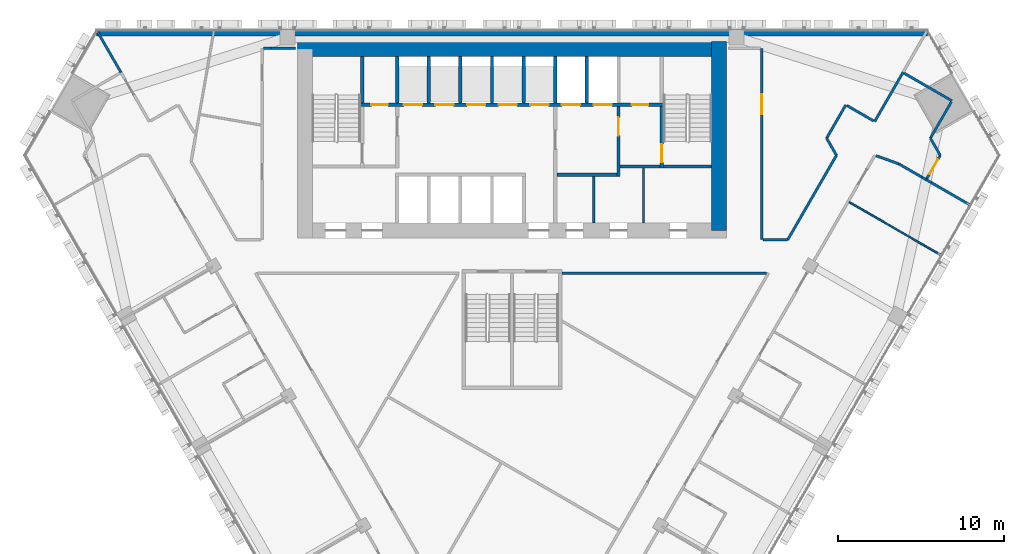
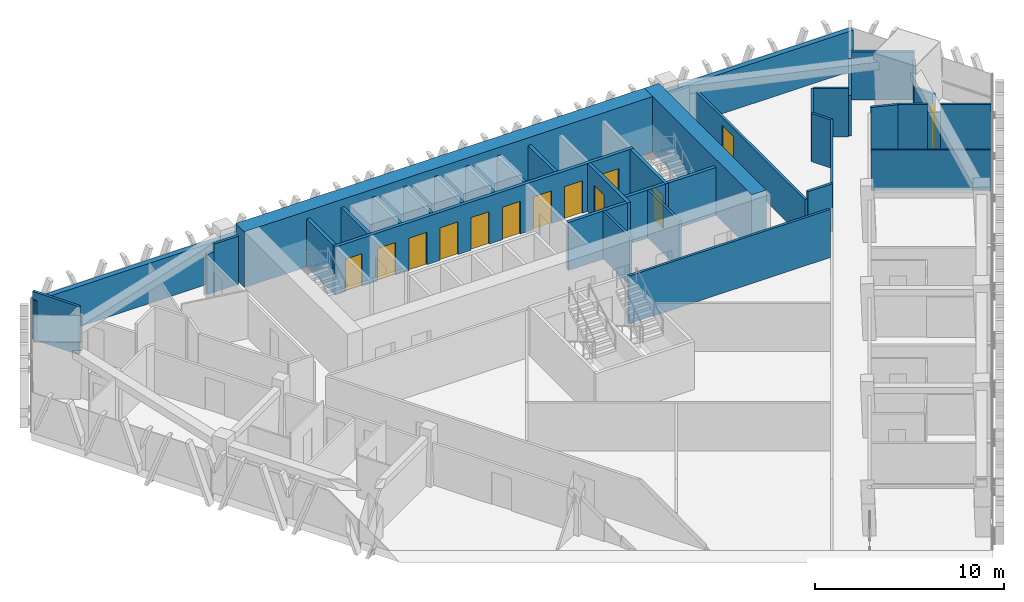
# One storey, part 12 of 16: 40 walls, 13 doors, 13 openings.
"""IFC4 building model written with IfcOpenShell, lengths in metres."""

from ifc_helpers import new_model, si_unit, direction, frame, frame_2d, origin, place, context, subcontext, project, spatial, rectangle, extrude, material, layer, layer_set, type_object, element, fill, save


model = new_model("IFC4")

# Units and contexts
model_context = context("Model", 3, precision=1e-05, world=origin(), true_north=direction((0.0, 1.0)))
body_context = subcontext(model_context, "Body", "Model", "MODEL_VIEW")
ifc_project = project(units=[si_unit("LENGTHUNIT", "METRE"), si_unit("AREAUNIT", "SQUARE_METRE"), si_unit("VOLUMEUNIT", "CUBIC_METRE"), si_unit("PLANEANGLEUNIT", "RADIAN"), si_unit("MASSUNIT", "GRAM", prefix="KILO")], contexts=[model_context])

# Site, building, storey
site_placement = place(None, origin())
site = spatial("IfcSite", under=ifc_project, at=site_placement, CompositionType="ELEMENT")
building_placement = place(site_placement, origin())
building = spatial("IfcBuilding", under=site, at=building_placement, Name="Altiplano Prism Tower", CompositionType="ELEMENT")
storey_placement = place(building_placement, frame((0.0, 0.0, 88.199951171875)))
storey = spatial("IfcBuildingStorey", under=building, at=storey_placement, Name="L22", CompositionType="ELEMENT", Elevation=88.199951171875)

# Walls
ifc_material_1 = material(Name="Concrete C70/85", Category="concrete")
ifc_layer_1 = layer(ifc_material_1, 0.89990234375)
ifc_layer_set_1 = layer_set([ifc_layer_1], Name="Concrete C70/85")
wall_type_1 = type_object("IfcWallType", Name="Core wall 900", PredefinedType="SHEAR", material=ifc_layer_set_1)
wall_1_placement = place(storey_placement, frame((97.449951171875, 92.949951171875, 0.0), z_axis=(0.0, 0.0, 1.0), x_axis=(0.0, 1.0, 0.0)))
element("IfcWall", 1, at=wall_1_placement, inside=storey, type_object=wall_type_1, Name="Core wall E L22", PredefinedType="SHEAR", context=body_context, shape_type="SweptSolid", body=[
    extrude(rectangle(XDim=11.35009765625, YDim=0.89990234375, at=frame_2d((5.675048828125, 0.0))), origin(), (0.0, 0.0, 1.0), 3.60009765625),
])
wall_2_placement = place(storey_placement, frame((97.449951171875, 103.85009765625, 0.0), z_axis=(0.0, 0.0, 1.0), x_axis=(-1.0, 0.0, 0.0)))
element("IfcWall", 2, at=wall_2_placement, inside=storey, type_object=wall_type_1, Name="Core wall N L22", PredefinedType="SHEAR", context=body_context, shape_type="SweptSolid", body=[
    extrude(rectangle(XDim=25.349853515625, YDim=0.89990234375, at=frame_2d((12.6748046875, 0.0))), origin(), (0.0, 0.0, 1.0), 3.60009765625),
])
ifc_material_2 = material(Name="Plasterboard on steel stud", Category="steel")
ifc_layer_2 = layer(ifc_material_2, 0.10009765625)
ifc_layer_set_2 = layer_set([ifc_layer_2], Name="Plasterboard on steel stud")
wall_type_2 = type_object("IfcWallType", Name="Partition 100 wet", PredefinedType="PARTITIONING", material=ifc_layer_set_2)
wall_3_placement = place(storey_placement, frame((110.757568359375, 91.483642578125, 0.0), z_axis=(0.0, 0.0, 1.0), x_axis=(-0.866025401434, 0.500000004071, 0.0)))
element("IfcWall", 3, at=wall_3_placement, inside=storey, type_object=wall_type_2, Name="Partition P03 L22 076", PredefinedType="PARTITIONING", context=body_context, shape_type="SweptSolid", body=[
    extrude(rectangle(XDim=6.34521484375, YDim=0.10009765625, at=frame_2d((3.172607421875, 0.0))), origin(), (0.0, 0.0, 1.0), 2.60009765625),
])
ifc_layer_3 = layer(ifc_material_2, 0.14990234375)
ifc_layer_set_3 = layer_set([ifc_layer_3], Name="Plasterboard on steel stud")
wall_type_3 = type_object("IfcWallType", Name="Partition 150 corridor", PredefinedType="PARTITIONING", material=ifc_layer_set_3)
wall_4_placement = place(storey_placement, frame((72.0, 103.89990234375, 0.0), z_axis=(0.0, 0.0, 1.0), x_axis=(-1.0, 0.0, 0.0)))
element("IfcWall", 4, at=wall_4_placement, inside=storey, type_object=wall_type_3, Name="Partition P06 L22 001", PredefinedType="PARTITIONING", context=body_context, shape_type="SweptSolid", body=[
    extrude(rectangle(XDim=1.4921875, YDim=0.14990234375, at=frame_2d((0.74609375, 0.0))), origin(), (0.0, 0.0, 1.0), 3.10009765625),
])
wall_5_placement = place(storey_placement, frame((70.5078125, 103.89990234375, 0.0), z_axis=(0.0, 0.0, 1.0), x_axis=(-1.0, 0.0, 0.0)))
element("IfcWall", 5, at=wall_5_placement, inside=storey, type_object=wall_type_3, Name="Partition P06 L22 002", PredefinedType="PARTITIONING", context=body_context, shape_type="SweptSolid", body=[
    extrude(rectangle(XDim=0.432861328125, YDim=0.14990234375, at=frame_2d((0.21630859375, 0.0))), origin(), (0.0, 0.0, 1.0), 2.60009765625),
])
wall_6_placement = place(storey_placement, frame((106.87158203125, 97.447998046875, 0.0), z_axis=(0.0, 0.0, 1.0), x_axis=(0.941287948334, -0.337604796059, 0.0)))
element("IfcWall", 6, at=wall_6_placement, inside=storey, type_object=wall_type_3, Name="Partition P06 L22 025", PredefinedType="PARTITIONING", context=body_context, shape_type="SweptSolid", body=[
    extrude(rectangle(XDim=1.45068359375, YDim=0.14990234375, at=frame_2d((0.725341796875, 0.0))), origin(), (0.0, 0.0, 1.0), 3.10009765625),
])
wall_7_placement = place(storey_placement, frame((108.237060546875, 96.958251953125, 0.0), z_axis=(0.0, 0.0, 1.0), x_axis=(0.86602790099, -0.499995674689, 0.0)))
element("IfcWall", 7, at=wall_7_placement, inside=storey, type_object=wall_type_3, Name="Partition P06 L22 026", PredefinedType="PARTITIONING", context=body_context, shape_type="SweptSolid", body=[
    extrude(rectangle(XDim=1.57275390625, YDim=0.14990234375, at=frame_2d((0.786376953125, 0.0))), origin(), (0.0, 0.0, 1.0), 3.10009765625),
])
wall_8_placement = place(storey_placement, frame((109.59912109375, 96.171875, 0.0), z_axis=(0.0, 0.0, 1.0), x_axis=(0.866115353951, -0.499844169366, 0.0)))
element("IfcWall", 8, at=wall_8_placement, inside=storey, type_object=wall_type_3, Name="Partition P06 L22 027", PredefinedType="PARTITIONING", context=body_context, shape_type="SweptSolid", body=[
    extrude(rectangle(XDim=0.34716796875, YDim=0.14990234375, at=frame_2d((0.173583984375, 0.0))), origin(), (0.0, 0.0, 1.0), 2.60009765625),
])

# Wall, opening, door
wall_9_placement = place(storey_placement, frame((109.919921875, 96.0732421875, 0.0), z_axis=(0.0, 0.0, 1.0), x_axis=(0.500005767435, 0.866022073929, 0.0)))
wall_9 = element("IfcWall", 9, at=wall_9_placement, inside=storey, type_object=wall_type_3, Name="Partition P06 L22 028", PredefinedType="PARTITIONING", context=body_context, shape_type="SweptSolid", body=[
    extrude(rectangle(XDim=1.6162109375, YDim=0.14990234375, at=frame_2d((0.80810546875, 0.0))), origin(), (0.0, 0.0, 1.0), 2.60009765625),
])
opening_1_placement = place(wall_9_placement, frame((0.323974609375, 0.0, 0.0)))
opening_1 = element("IfcOpeningElement", 10, at=opening_1_placement, cuts=wall_9, Name="Opening D0840", PredefinedType="OPENING", context=body_context, shape_type="SweptSolid", body=[
    extrude(rectangle(XDim=1.0, YDim=2.10009765625, at=frame_2d((0.5, 1.050048828125))), frame((0.0, 0.08544921875, 0.0), z_axis=(0.0, -1.0, 0.0), x_axis=(1.0, 0.0, 0.0)), (0.0, 0.0, 1.0), 0.1708984375),
])
ifc_material_3 = material(Name="Timber", Category="wood")
door_type_1 = type_object("IfcDoorType", Name="Room door 1000 x 2100", OperationType="NOTDEFINED", PredefinedType="NOTDEFINED", material=ifc_material_3)
door_1_placement = place(opening_1_placement, origin())
door_1 = element("IfcDoor", 11, at=door_1_placement, inside=storey, type_object=door_type_1, Name="Door D0840", OperationType="SINGLE_SWING_LEFT", OverallHeight=2.10009765625, OverallWidth=1.0, PredefinedType="NOTDEFINED", context=body_context, shape_type="SweptSolid", body=[
    extrude(rectangle(XDim=1.0, YDim=2.10009765625, at=frame_2d((0.5, 1.050048828125))), frame((0.0, 0.02490234375, 0.0), z_axis=(0.0, -1.0, 0.0), x_axis=(1.0, 0.0, 0.0)), (0.0, 0.0, 1.0), 0.050048828125),
])
fill(opening_1, door_1)

# Walls
wall_10_placement = place(storey_placement, frame((110.72802734375, 97.472900390625, 0.0), z_axis=(0.0, 0.0, 1.0), x_axis=(-0.500013496215, 0.866017611601, 0.0)))
element("IfcWall", 12, at=wall_10_placement, inside=storey, type_object=wall_type_3, Name="Partition P06 L22 029", PredefinedType="PARTITIONING", context=body_context, shape_type="SweptSolid", body=[
    extrude(rectangle(XDim=1.18603515625, YDim=0.14990234375, at=frame_2d((0.593017578125, 0.0))), origin(), (0.0, 0.0, 1.0), 2.60009765625),
])
wall_11_placement = place(storey_placement, frame((110.135009765625, 98.5, 0.0), z_axis=(0.0, 0.0, 1.0), x_axis=(0.500072327845, 0.865983641256, 0.0)))
element("IfcWall", 13, at=wall_11_placement, inside=storey, type_object=wall_type_3, Name="Partition P06 L22 030", PredefinedType="PARTITIONING", context=body_context, shape_type="SweptSolid", body=[
    extrude(rectangle(XDim=2.516845703125, YDim=0.14990234375, at=frame_2d((1.25830078125, 0.0))), origin(), (0.0, 0.0, 1.0), 2.60009765625),
])
wall_12_placement = place(storey_placement, frame((111.430908203125, 100.744384765625, 0.0), z_axis=(0.0, 0.0, 1.0), x_axis=(-0.866002163101, 0.500040251884, 0.0)))
element("IfcWall", 14, at=wall_12_placement, inside=storey, type_object=wall_type_3, Name="Partition P06 L22 031", PredefinedType="PARTITIONING", context=body_context, shape_type="SweptSolid", body=[
    extrude(rectangle(XDim=3.324951171875, YDim=0.14990234375, at=frame_2d((1.66259765625, 0.0))), origin(), (0.0, 0.0, 1.0), 3.10009765625),
])
wall_13_placement = place(storey_placement, frame((108.49658203125, 102.4619140625, 0.0), z_axis=(0.0, 0.0, 1.0), x_axis=(-0.50003140069, -0.866007273829, 0.0)))
element("IfcWall", 15, at=wall_13_placement, inside=storey, type_object=wall_type_3, Name="Partition P06 L22 034", PredefinedType="PARTITIONING", context=body_context, shape_type="SweptSolid", body=[
    extrude(rectangle(XDim=3.420166015625, YDim=0.14990234375, at=frame_2d((1.7099609375, 0.0))), origin(), (0.0, 0.0, 1.0), 2.60009765625),
])
wall_14_placement = place(storey_placement, frame((106.721435546875, 99.53759765625, 0.0), z_axis=(0.0, 0.0, 1.0), x_axis=(-0.866058118026, 0.49994333299, 0.0)))
element("IfcWall", 16, at=wall_14_placement, inside=storey, type_object=wall_type_3, Name="Partition P06 L22 035", PredefinedType="PARTITIONING", context=body_context, shape_type="SweptSolid", body=[
    extrude(rectangle(XDim=1.849853515625, YDim=0.14990234375, at=frame_2d((0.9248046875, 0.0))), origin(), (0.0, 0.0, 1.0), 3.10009765625),
])
wall_15_placement = place(storey_placement, frame((105.054443359375, 100.5, 0.0), z_axis=(0.0, 0.0, 1.0), x_axis=(-0.500027479704, -0.866009537788, 0.0)))
element("IfcWall", 17, at=wall_15_placement, inside=storey, type_object=wall_type_3, Name="Partition P06 L22 036", PredefinedType="PARTITIONING", context=body_context, shape_type="SweptSolid", body=[
    extrude(rectangle(XDim=2.309326171875, YDim=0.14990234375, at=frame_2d((1.15478515625, 0.0))), origin(), (0.0, 0.0, 1.0), 3.10009765625),
])
wall_16_placement = place(storey_placement, frame((103.899658203125, 98.5, 0.0), z_axis=(0.0, 0.0, 1.0), x_axis=(0.500013496215, -0.866017611601, 0.0)))
element("IfcWall", 18, at=wall_16_placement, inside=storey, type_object=wall_type_3, Name="Partition P06 L22 037", PredefinedType="PARTITIONING", context=body_context, shape_type="SweptSolid", body=[
    extrude(rectangle(XDim=1.18603515625, YDim=0.14990234375, at=frame_2d((0.593017578125, 0.0))), origin(), (0.0, 0.0, 1.0), 3.10009765625),
])
wall_17_placement = place(storey_placement, frame((104.49267578125, 97.472900390625, 0.0), z_axis=(0.0, 0.0, 1.0), x_axis=(-0.499976204152, -0.866039141888, 0.0)))
element("IfcWall", 19, at=wall_17_placement, inside=storey, type_object=wall_type_3, Name="Partition P06 L22 038", PredefinedType="PARTITIONING", context=body_context, shape_type="SweptSolid", body=[
    extrude(rectangle(XDim=5.857666015625, YDim=0.14990234375, at=frame_2d((2.9287109375, 0.0))), origin(), (0.0, 0.0, 1.0), 3.10009765625),
])
wall_18_placement = place(storey_placement, frame((101.56396484375, 92.39990234375, 0.0), z_axis=(0.0, 0.0, 1.0), x_axis=(-1.0, 0.0, 0.0)))
element("IfcWall", 20, at=wall_18_placement, inside=storey, type_object=wall_type_3, Name="Partition P06 L22 039", PredefinedType="PARTITIONING", context=body_context, shape_type="SweptSolid", body=[
    extrude(rectangle(XDim=1.489013671875, YDim=0.14990234375, at=frame_2d((0.74462890625, 0.0))), origin(), (0.0, 0.0, 1.0), 3.10009765625),
])

# Wall, opening, door
wall_19_placement = place(storey_placement, frame((100.0, 92.39990234375, 0.0), z_axis=(0.0, 0.0, 1.0), x_axis=(0.0, 1.0, 0.0)))
wall_19 = element("IfcWall", 21, at=wall_19_placement, inside=storey, type_object=wall_type_3, Name="Partition P06 L22 040", PredefinedType="PARTITIONING", context=body_context, shape_type="SweptSolid", body=[
    extrude(rectangle(XDim=11.5, YDim=0.14990234375, at=frame_2d((5.75, 0.0))), origin(), (0.0, 0.0, 1.0), 2.60009765625),
])
opening_2_placement = place(wall_19_placement, frame((7.52490234375, 0.0, 0.0)))
opening_2 = element("IfcOpeningElement", 22, at=opening_2_placement, cuts=wall_19, Name="Opening D0843", PredefinedType="OPENING", context=body_context, shape_type="SweptSolid", body=[
    extrude(rectangle(XDim=1.199951171875, YDim=2.10009765625, at=frame_2d((0.60009765625, 1.050048828125))), frame((0.0, 0.08544921875, 0.0), z_axis=(0.0, -1.0, 0.0), x_axis=(1.0, 0.0, 0.0)), (0.0, 0.0, 1.0), 0.1708984375),
])
door_type_2 = type_object("IfcDoorType", Name="Shared room door 1200 x 2100", OperationType="NOTDEFINED", PredefinedType="NOTDEFINED", material=ifc_material_3)
door_2_placement = place(opening_2_placement, origin())
door_2 = element("IfcDoor", 23, at=door_2_placement, inside=storey, type_object=door_type_2, Name="Door D0843", OperationType="SINGLE_SWING_LEFT", OverallHeight=2.10009765625, OverallWidth=1.199951171875, PredefinedType="NOTDEFINED", context=body_context, shape_type="SweptSolid", body=[
    extrude(rectangle(XDim=1.199951171875, YDim=2.10009765625, at=frame_2d((0.60009765625, 1.050048828125))), frame((0.0, 0.02490234375, 0.0), z_axis=(0.0, -1.0, 0.0), x_axis=(1.0, 0.0, 0.0)), (0.0, 0.0, 1.0), 0.050048828125),
])
fill(opening_2, door_2)

# Walls
wall_20_placement = place(storey_placement, frame((88.0, 90.39990234375, 0.0), z_axis=(0.0, 0.0, 1.0), x_axis=(1.0, 0.0, 0.0)))
element("IfcWall", 24, at=wall_20_placement, inside=storey, type_object=wall_type_3, Name="Partition P06 L22 044", PredefinedType="PARTITIONING", context=body_context, shape_type="SweptSolid", body=[
    extrude(rectangle(XDim=12.279296875, YDim=0.14990234375, at=frame_2d((6.1396484375, 0.0))), origin(), (0.0, 0.0, 1.0), 3.10009765625),
])
ifc_layer_4 = layer(ifc_material_2, 0.14990234375)
ifc_layer_set_4 = layer_set([ifc_layer_4], Name="Plasterboard on steel stud")
wall_type_4 = type_object("IfcWallType", Name="Partition 150 party", PredefinedType="PARTITIONING", material=ifc_layer_set_4)
wall_21_placement = place(storey_placement, frame((60.095703125, 104.89990234375, 0.0), z_axis=(0.0, 0.0, 1.0), x_axis=(0.500037995954, -0.866003465699, 0.0)))
element("IfcWall", 25, at=wall_21_placement, inside=storey, type_object=wall_type_4, Name="Partition P01 L22 047", PredefinedType="PARTITIONING", context=body_context, shape_type="SweptSolid", body=[
    extrude(rectangle(XDim=2.835205078125, YDim=0.14990234375, at=frame_2d((1.41748046875, 0.0))), origin(), (0.0, 0.0, 1.0), 3.10009765625),
])
wall_22_placement = place(storey_placement, frame((112.498046875, 94.498291015625, 0.0), z_axis=(0.0, 0.0, 1.0), x_axis=(-0.866033651025, 0.499985715088, 0.0)))
element("IfcWall", 26, at=wall_22_placement, inside=storey, type_object=wall_type_4, Name="Partition P01 L22 077", PredefinedType="PARTITIONING", context=body_context, shape_type="SweptSolid", body=[
    extrude(rectangle(XDim=2.67578125, YDim=0.14990234375, at=frame_2d((1.337890625, 0.0))), origin(), (0.0, 0.0, 1.0), 3.10009765625),
])
wall_23_placement = place(storey_placement, frame((110.1806640625, 95.836181640625, 0.0), z_axis=(0.0, 0.0, 1.0), x_axis=(-0.866008413041, 0.500029427677, 0.0)))
element("IfcWall", 27, at=wall_23_placement, inside=storey, type_object=wall_type_4, Name="Partition P01 L22 078", PredefinedType="PARTITIONING", context=body_context, shape_type="SweptSolid", body=[
    extrude(rectangle(XDim=0.34423828125, YDim=0.14990234375, at=frame_2d((0.172119140625, 0.0))), origin(), (0.0, 0.0, 1.0), 2.60009765625),
])
ifc_material_4 = material(Name="Fire-rated gypsum board partition")
ifc_layer_5 = layer(ifc_material_4, 0.14990234375)
ifc_layer_set_5 = layer_set([ifc_layer_5], Name="Fire-rated gypsum board partition")
wall_type_5 = type_object("IfcWallType", Name="Room partition 150", PredefinedType="PARTITIONING", material=ifc_layer_set_5)
wall_24_placement = place(storey_placement, frame((89.89990234375, 93.39990234375, 0.0), z_axis=(0.0, 0.0, 1.0), x_axis=(0.0, 1.0, 0.0)))
element("IfcWall", 28, at=wall_24_placement, inside=storey, type_object=wall_type_5, Name="Room partition L22", PredefinedType="PARTITIONING", context=body_context, shape_type="SweptSolid", body=[
    extrude(rectangle(XDim=2.800048828125, YDim=0.14990234375, at=frame_2d((1.39990234375, 0.0))), origin(), (0.0, 0.0, 1.0), 3.10009765625),
])
wall_25_placement = place(storey_placement, frame((92.89990234375, 93.39990234375, 0.0), z_axis=(0.0, 0.0, 1.0), x_axis=(0.0, 1.0, 0.0)))
element("IfcWall", 29, at=wall_25_placement, inside=storey, type_object=wall_type_5, Name="Room partition L22", PredefinedType="PARTITIONING", context=body_context, shape_type="SweptSolid", body=[
    extrude(rectangle(XDim=3.300048828125, YDim=0.14990234375, at=frame_2d((1.64990234375, 0.0))), origin(), (0.0, 0.0, 1.0), 3.10009765625),
])
ifc_material_5 = material(Name="Concrete C60/75", Category="concrete")
ifc_layer_6 = layer(ifc_material_5, 0.199951171875)
ifc_layer_set_6 = layer_set([ifc_layer_6], Name="Concrete C60/75")
wall_type_6 = type_object("IfcWallType", Name="Shaft wall 200", PredefinedType="SOLIDWALL", material=ifc_layer_set_6)
for number, where, z_axis, x_axis, name in (
    (30, (78.10009765625, 100.60009765625, 0.0), (0.0, 0.0, 1.0), (0.0, 1.0, 0.0), "Shaft wall L22"),
    (31, (80.0, 100.60009765625, 0.0), (0.0, 0.0, 1.0), (0.0, 1.0, 0.0), "Shaft wall L22"),
    (32, (81.89990234375, 100.60009765625, 0.0), (0.0, 0.0, 1.0), (0.0, 1.0, 0.0), "Shaft wall L22"),
    (33, (83.800048828125, 100.60009765625, 0.0), (0.0, 0.0, 1.0), (0.0, 1.0, 0.0), "Shaft wall L22"),
    (34, (85.699951171875, 100.60009765625, 0.0), (0.0, 0.0, 1.0), (0.0, 1.0, 0.0), "Shaft wall L22"),
    (35, (87.60009765625, 100.60009765625, 0.0), (0.0, 0.0, 1.0), (0.0, 1.0, 0.0), "Shaft wall L22"),
    (36, (89.5, 100.60009765625, 0.0), (0.0, 0.0, 1.0), (0.0, 1.0, 0.0), "Shaft wall L22"),
):
    element("IfcWall", number, at=place(storey_placement, frame(where, z_axis=z_axis, x_axis=x_axis)), inside=storey, type_object=wall_type_6, Name=name, PredefinedType="SOLIDWALL", context=body_context, shape_type="SweptSolid", body=[
        extrude(rectangle(XDim=2.7998046875, YDim=0.199951171875, at=frame_2d((1.39990234375, 0.0))), origin(), (0.0, 0.0, 1.0), 3.10009765625),
    ])

# Wall, opening, door
ifc_layer_7 = layer(ifc_material_5, 0.199951171875)
ifc_layer_set_7 = layer_set([ifc_layer_7], Name="Concrete C60/75")
wall_type_7 = type_object("IfcWallType", Name="Stair wall 200", PredefinedType="SOLIDWALL", material=ifc_layer_set_7)
wall_26_placement = place(storey_placement, frame((94.0, 96.699951171875, 0.0), z_axis=(0.0, 0.0, 1.0), x_axis=(0.0, 1.0, 0.0)))
wall_26 = element("IfcWall", 37, at=wall_26_placement, inside=storey, type_object=wall_type_7, Name="Stair wall L22", PredefinedType="SOLIDWALL", context=body_context, shape_type="SweptSolid", body=[
    extrude(rectangle(XDim=3.699951171875, YDim=0.199951171875, at=frame_2d((1.85009765625, 0.0))), origin(), (0.0, 0.0, 1.0), 3.10009765625),
])
opening_3_placement = place(wall_26_placement, frame((0.35009765625, 0.0, 0.0)))
opening_3 = element("IfcOpeningElement", 38, at=opening_3_placement, cuts=wall_26, Name="Opening D2883", PredefinedType="OPENING", context=body_context, shape_type="SweptSolid", body=[
    extrude(rectangle(XDim=1.10009765625, YDim=2.10009765625, at=frame_2d((0.550048828125, 1.050048828125))), frame((0.0, 0.1103515625, 0.0), z_axis=(0.0, -1.0, 0.0), x_axis=(1.0, 0.0, 0.0)), (0.0, 0.0, 1.0), 0.220947265625),
])
ifc_material_6 = material(Name="Fire-rated steel door", Category="steel")
door_type_3 = type_object("IfcDoorType", Name="Stair fire door 1100 x 2100", OperationType="NOTDEFINED", PredefinedType="NOTDEFINED", material=ifc_material_6)
door_3_placement = place(opening_3_placement, origin())
door_3 = element("IfcDoor", 39, at=door_3_placement, inside=storey, type_object=door_type_3, Name="Stair fire door D2883", OperationType="SINGLE_SWING_LEFT", OverallHeight=2.10009765625, OverallWidth=1.10009765625, PredefinedType="NOTDEFINED", context=body_context, shape_type="SweptSolid", body=[
    extrude(rectangle(XDim=1.10009765625, YDim=2.10009765625, at=frame_2d((0.550048828125, 1.050048828125))), frame((0.0, 0.02490234375, 0.0), z_axis=(0.0, -1.0, 0.0), x_axis=(1.0, 0.0, 0.0)), (0.0, 0.0, 1.0), 0.050048828125),
])
fill(opening_3, door_3)

# Wall
wall_27_placement = place(storey_placement, frame((94.10009765625, 96.800048828125, 0.0), z_axis=(0.0, 0.0, 1.0), x_axis=(1.0, 0.0, 0.0)))
element("IfcWall", 40, at=wall_27_placement, inside=storey, type_object=wall_type_7, Name="Stair wall L22", PredefinedType="SOLIDWALL", context=body_context, shape_type="SweptSolid", body=[
    extrude(rectangle(XDim=2.89990234375, YDim=0.199951171875, at=frame_2d((1.449951171875, 0.0))), origin(), (0.0, 0.0, 1.0), 3.10009765625),
])

# Wall, openings, doors
wall_28_placement = place(storey_placement, frame((75.89990234375, 100.5, 0.0), z_axis=(0.0, 0.0, 1.0), x_axis=(1.0, 0.0, 0.0)))
wall_28 = element("IfcWall", 41, at=wall_28_placement, inside=storey, type_object=wall_type_7, Name="Stair wall L22", PredefinedType="SOLIDWALL", context=body_context, shape_type="SweptSolid", body=[
    extrude(rectangle(XDim=18.2001953125, YDim=0.199951171875, at=frame_2d((9.10009765625, 0.0))), origin(), (0.0, 0.0, 1.0), 3.10009765625),
])
opening_4_placement = place(wall_28_placement, frame((2.60009765625, 0.0, 0.0)))
opening_4 = element("IfcOpeningElement", 42, at=opening_4_placement, cuts=wall_28, Name="Opening LD-LL1-L22", PredefinedType="OPENING", context=body_context, shape_type="SweptSolid", body=[
    extrude(rectangle(XDim=1.10009765625, YDim=2.10009765625, at=frame_2d((0.550048828125, 1.050048828125))), frame((0.0, 0.1103515625, 0.0), z_axis=(0.0, -1.0, 0.0), x_axis=(1.0, 0.0, 0.0)), (0.0, 0.0, 1.0), 0.220947265625),
])
opening_5_placement = place(wall_28_placement, frame((4.5, 0.0, 0.0)))
opening_5 = element("IfcOpeningElement", 43, at=opening_5_placement, cuts=wall_28, Name="Opening LD-LL2-L22", PredefinedType="OPENING", context=body_context, shape_type="SweptSolid", body=[
    extrude(rectangle(XDim=1.10009765625, YDim=2.10009765625, at=frame_2d((0.550048828125, 1.050048828125))), frame((0.0, 0.1103515625, 0.0), z_axis=(0.0, -1.0, 0.0), x_axis=(1.0, 0.0, 0.0)), (0.0, 0.0, 1.0), 0.220947265625),
])
opening_6_placement = place(wall_28_placement, frame((6.39990234375, 0.0, 0.0)))
opening_6 = element("IfcOpeningElement", 44, at=opening_6_placement, cuts=wall_28, Name="Opening LD-LL3-L22", PredefinedType="OPENING", context=body_context, shape_type="SweptSolid", body=[
    extrude(rectangle(XDim=1.10009765625, YDim=2.10009765625, at=frame_2d((0.550048828125, 1.050048828125))), frame((0.0, 0.1103515625, 0.0), z_axis=(0.0, -1.0, 0.0), x_axis=(1.0, 0.0, 0.0)), (0.0, 0.0, 1.0), 0.220947265625),
])
opening_7_placement = place(wall_28_placement, frame((8.300048828125, 0.0, 0.0)))
opening_7 = element("IfcOpeningElement", 45, at=opening_7_placement, cuts=wall_28, Name="Opening LD-LL4-L22", PredefinedType="OPENING", context=body_context, shape_type="SweptSolid", body=[
    extrude(rectangle(XDim=1.10009765625, YDim=2.10009765625, at=frame_2d((0.550048828125, 1.050048828125))), frame((0.0, 0.1103515625, 0.0), z_axis=(0.0, -1.0, 0.0), x_axis=(1.0, 0.0, 0.0)), (0.0, 0.0, 1.0), 0.220947265625),
])
opening_8_placement = place(wall_28_placement, frame((10.199951171875, 0.0, 0.0)))
opening_8 = element("IfcOpeningElement", 46, at=opening_8_placement, cuts=wall_28, Name="Opening LD-LL5-L22", PredefinedType="OPENING", context=body_context, shape_type="SweptSolid", body=[
    extrude(rectangle(XDim=1.10009765625, YDim=2.10009765625, at=frame_2d((0.550048828125, 1.050048828125))), frame((0.0, 0.1103515625, 0.0), z_axis=(0.0, -1.0, 0.0), x_axis=(1.0, 0.0, 0.0)), (0.0, 0.0, 1.0), 0.220947265625),
])
opening_9_placement = place(wall_28_placement, frame((12.10009765625, 0.0, 0.0)))
opening_9 = element("IfcOpeningElement", 47, at=opening_9_placement, cuts=wall_28, Name="Opening LD-FF1-L22", PredefinedType="OPENING", context=body_context, shape_type="SweptSolid", body=[
    extrude(rectangle(XDim=1.10009765625, YDim=2.10009765625, at=frame_2d((0.550048828125, 1.050048828125))), frame((0.0, 0.1103515625, 0.0), z_axis=(0.0, -1.0, 0.0), x_axis=(1.0, 0.0, 0.0)), (0.0, 0.0, 1.0), 0.220947265625),
])
opening_10_placement = place(wall_28_placement, frame((14.0, 0.0, 0.0)))
opening_10 = element("IfcOpeningElement", 48, at=opening_10_placement, cuts=wall_28, Name="Opening LD-FF2-L22", PredefinedType="OPENING", context=body_context, shape_type="SweptSolid", body=[
    extrude(rectangle(XDim=1.10009765625, YDim=2.10009765625, at=frame_2d((0.550048828125, 1.050048828125))), frame((0.0, 0.1103515625, 0.0), z_axis=(0.0, -1.0, 0.0), x_axis=(1.0, 0.0, 0.0)), (0.0, 0.0, 1.0), 0.220947265625),
])
opening_11_placement = place(wall_28_placement, frame((0.64990234375, 0.0, 0.0)))
opening_11 = element("IfcOpeningElement", 49, at=opening_11_placement, cuts=wall_28, Name="Opening D2890", PredefinedType="OPENING", context=body_context, shape_type="SweptSolid", body=[
    extrude(rectangle(XDim=1.0, YDim=2.10009765625, at=frame_2d((0.5, 1.050048828125))), frame((0.0, 0.1103515625, 0.0), z_axis=(0.0, -1.0, 0.0), x_axis=(1.0, 0.0, 0.0)), (0.0, 0.0, 1.0), 0.220947265625),
])
opening_12_placement = place(wall_28_placement, frame((16.300048828125, 0.0, 0.0)))
opening_12 = element("IfcOpeningElement", 50, at=opening_12_placement, cuts=wall_28, Name="Opening D2891", PredefinedType="OPENING", context=body_context, shape_type="SweptSolid", body=[
    extrude(rectangle(XDim=1.0, YDim=2.10009765625, at=frame_2d((0.5, 1.050048828125))), frame((0.0, 0.1103515625, 0.0), z_axis=(0.0, -1.0, 0.0), x_axis=(1.0, 0.0, 0.0)), (0.0, 0.0, 1.0), 0.220947265625),
])
door_type_4 = type_object("IfcDoorType", Name="Core room door 1000 x 2100", OperationType="NOTDEFINED", PredefinedType="NOTDEFINED", material=ifc_material_6)
door_4_placement = place(opening_11_placement, origin())
door_4 = element("IfcDoor", 51, at=door_4_placement, inside=storey, type_object=door_type_4, Name="Core room door D2890", OperationType="SINGLE_SWING_LEFT", OverallHeight=2.10009765625, OverallWidth=1.0, PredefinedType="NOTDEFINED", context=body_context, shape_type="SweptSolid", body=[
    extrude(rectangle(XDim=1.0, YDim=2.10009765625, at=frame_2d((0.5, 1.050048828125))), frame((0.0, 0.02490234375, 0.0), z_axis=(0.0, -1.0, 0.0), x_axis=(1.0, 0.0, 0.0)), (0.0, 0.0, 1.0), 0.050048828125),
])
fill(opening_11, door_4)
door_5_placement = place(opening_12_placement, origin())
door_5 = element("IfcDoor", 52, at=door_5_placement, inside=storey, type_object=door_type_4, Name="Core room door D2891", OperationType="SINGLE_SWING_RIGHT", OverallHeight=2.10009765625, OverallWidth=1.0, PredefinedType="NOTDEFINED", context=body_context, shape_type="SweptSolid", body=[
    extrude(rectangle(XDim=1.0, YDim=2.10009765625, at=frame_2d((0.5, 1.050048828125))), frame((0.0, 0.02490234375, 0.0), z_axis=(0.0, -1.0, 0.0), x_axis=(1.0, 0.0, 0.0)), (0.0, 0.0, 1.0), 0.050048828125),
])
fill(opening_12, door_5)
ifc_material_7 = material(Name="Stainless steel landing door", Category="steel")
door_type_5 = type_object("IfcDoorType", Name="Landing door 1100 x 2100", OperationType="NOTDEFINED", PredefinedType="NOTDEFINED", material=ifc_material_7)
door_6_placement = place(opening_4_placement, origin())
door_6 = element("IfcDoor", 53, at=door_6_placement, inside=storey, type_object=door_type_5, Name="Landing doors LL1", OperationType="SLIDING_TO_RIGHT", OverallHeight=2.10009765625, OverallWidth=1.10009765625, PredefinedType="NOTDEFINED", context=body_context, shape_type="SweptSolid", body=[
    extrude(rectangle(XDim=1.10009765625, YDim=2.10009765625, at=frame_2d((0.550048828125, 1.050048828125))), frame((0.0, 0.02490234375, 0.0), z_axis=(0.0, -1.0, 0.0), x_axis=(1.0, 0.0, 0.0)), (0.0, 0.0, 1.0), 0.050048828125),
])
fill(opening_4, door_6)
door_7_placement = place(opening_5_placement, origin())
door_7 = element("IfcDoor", 54, at=door_7_placement, inside=storey, type_object=door_type_5, Name="Landing doors LL2", OperationType="SLIDING_TO_LEFT", OverallHeight=2.10009765625, OverallWidth=1.10009765625, PredefinedType="NOTDEFINED", context=body_context, shape_type="SweptSolid", body=[
    extrude(rectangle(XDim=1.10009765625, YDim=2.10009765625, at=frame_2d((0.550048828125, 1.050048828125))), frame((0.0, 0.02490234375, 0.0), z_axis=(0.0, -1.0, 0.0), x_axis=(1.0, 0.0, 0.0)), (0.0, 0.0, 1.0), 0.050048828125),
])
fill(opening_5, door_7)
door_8_placement = place(opening_6_placement, origin())
door_8 = element("IfcDoor", 55, at=door_8_placement, inside=storey, type_object=door_type_5, Name="Landing doors LL3", OperationType="SLIDING_TO_RIGHT", OverallHeight=2.10009765625, OverallWidth=1.10009765625, PredefinedType="NOTDEFINED", context=body_context, shape_type="SweptSolid", body=[
    extrude(rectangle(XDim=1.10009765625, YDim=2.10009765625, at=frame_2d((0.550048828125, 1.050048828125))), frame((0.0, 0.02490234375, 0.0), z_axis=(0.0, -1.0, 0.0), x_axis=(1.0, 0.0, 0.0)), (0.0, 0.0, 1.0), 0.050048828125),
])
fill(opening_6, door_8)
door_9_placement = place(opening_7_placement, origin())
door_9 = element("IfcDoor", 56, at=door_9_placement, inside=storey, type_object=door_type_5, Name="Landing doors LL4", OperationType="SLIDING_TO_LEFT", OverallHeight=2.10009765625, OverallWidth=1.10009765625, PredefinedType="NOTDEFINED", context=body_context, shape_type="SweptSolid", body=[
    extrude(rectangle(XDim=1.10009765625, YDim=2.10009765625, at=frame_2d((0.550048828125, 1.050048828125))), frame((0.0, 0.02490234375, 0.0), z_axis=(0.0, -1.0, 0.0), x_axis=(1.0, 0.0, 0.0)), (0.0, 0.0, 1.0), 0.050048828125),
])
fill(opening_7, door_9)
door_10_placement = place(opening_8_placement, origin())
door_10 = element("IfcDoor", 57, at=door_10_placement, inside=storey, type_object=door_type_5, Name="Landing doors LL5", OperationType="SLIDING_TO_RIGHT", OverallHeight=2.10009765625, OverallWidth=1.10009765625, PredefinedType="NOTDEFINED", context=body_context, shape_type="SweptSolid", body=[
    extrude(rectangle(XDim=1.10009765625, YDim=2.10009765625, at=frame_2d((0.550048828125, 1.050048828125))), frame((0.0, 0.02490234375, 0.0), z_axis=(0.0, -1.0, 0.0), x_axis=(1.0, 0.0, 0.0)), (0.0, 0.0, 1.0), 0.050048828125),
])
fill(opening_8, door_10)
door_11_placement = place(opening_9_placement, origin())
door_11 = element("IfcDoor", 58, at=door_11_placement, inside=storey, type_object=door_type_5, Name="Landing doors FF1", OperationType="SLIDING_TO_RIGHT", OverallHeight=2.10009765625, OverallWidth=1.10009765625, PredefinedType="NOTDEFINED", context=body_context, shape_type="SweptSolid", body=[
    extrude(rectangle(XDim=1.10009765625, YDim=2.10009765625, at=frame_2d((0.550048828125, 1.050048828125))), frame((0.0, 0.02490234375, 0.0), z_axis=(0.0, -1.0, 0.0), x_axis=(1.0, 0.0, 0.0)), (0.0, 0.0, 1.0), 0.050048828125),
])
fill(opening_9, door_11)
door_12_placement = place(opening_10_placement, origin())
door_12 = element("IfcDoor", 59, at=door_12_placement, inside=storey, type_object=door_type_5, Name="Landing doors FF2", OperationType="SLIDING_TO_LEFT", OverallHeight=2.10009765625, OverallWidth=1.10009765625, PredefinedType="NOTDEFINED", context=body_context, shape_type="SweptSolid", body=[
    extrude(rectangle(XDim=1.10009765625, YDim=2.10009765625, at=frame_2d((0.550048828125, 1.050048828125))), frame((0.0, 0.02490234375, 0.0), z_axis=(0.0, -1.0, 0.0), x_axis=(1.0, 0.0, 0.0)), (0.0, 0.0, 1.0), 0.050048828125),
])
fill(opening_10, door_12)

# Walls
wall_29_placement = place(storey_placement, frame((76.0, 100.60009765625, 0.0), z_axis=(0.0, 0.0, 1.0), x_axis=(0.0, 1.0, 0.0)))
element("IfcWall", 60, at=wall_29_placement, inside=storey, type_object=wall_type_7, Name="Stair wall L22", PredefinedType="SOLIDWALL", context=body_context, shape_type="SweptSolid", body=[
    extrude(rectangle(XDim=2.7998046875, YDim=0.199951171875, at=frame_2d((1.39990234375, 0.0))), origin(), (0.0, 0.0, 1.0), 3.10009765625),
])
ifc_material_8 = material(Name="Concrete C40", Category="concrete")
ifc_layer_8 = layer(ifc_material_8, 0.300048828125)
ifc_layer_set_8 = layer_set([ifc_layer_8], Name="Concrete C40")
wall_type_8 = type_object("IfcWallType", Name="Stone-clad external wall 300", PredefinedType="SOLIDWALL", material=ifc_layer_set_8)
wall_30_placement = place(storey_placement, frame((60.0380859375, 104.7900390625, 0.0), z_axis=(0.0, 0.0, 1.0), x_axis=(1.0, 0.0, 0.0)))
element("IfcWall", 61, at=wall_30_placement, inside=storey, type_object=wall_type_8, Name="External wall north face L22", PredefinedType="SOLIDWALL", context=body_context, shape_type="SweptSolid", body=[
    extrude(rectangle(XDim=49.923828125, YDim=0.300048828125, at=frame_2d((24.9619140625, 0.0))), origin(), (0.0, 0.0, 1.0), 2.60009765625),
])
ifc_layer_9 = layer(ifc_material_5, 0.199951171875)
ifc_layer_set_9 = layer_set([ifc_layer_9], Name="Concrete C60/75")
wall_type_9 = type_object("IfcWallType", Name="Vestibule wall 200", PredefinedType="PARTITIONING", material=ifc_layer_set_9)
wall_31_placement = place(storey_placement, frame((87.699951171875, 96.300048828125, 0.0), z_axis=(0.0, 0.0, 1.0), x_axis=(1.0, 0.0, 0.0)))
element("IfcWall", 62, at=wall_31_placement, inside=storey, type_object=wall_type_9, Name="Vestibule wall L22", PredefinedType="PARTITIONING", context=body_context, shape_type="SweptSolid", body=[
    extrude(rectangle(XDim=3.60009765625, YDim=0.199951171875, at=frame_2d((1.800048828125, 0.0))), origin(), (0.0, 0.0, 1.0), 3.10009765625),
])

# Wall, opening, door
wall_32_placement = place(storey_placement, frame((91.39990234375, 96.199951171875, 0.0), z_axis=(0.0, 0.0, 1.0), x_axis=(0.0, 1.0, 0.0)))
wall_32 = element("IfcWall", 63, at=wall_32_placement, inside=storey, type_object=wall_type_9, Name="Vestibule wall L22", PredefinedType="PARTITIONING", context=body_context, shape_type="SweptSolid", body=[
    extrude(rectangle(XDim=4.199951171875, YDim=0.199951171875, at=frame_2d((2.10009765625, 0.0))), origin(), (0.0, 0.0, 1.0), 3.10009765625),
])
opening_13_placement = place(wall_32_placement, frame((2.449951171875, 0.0, 0.0)))
opening_13 = element("IfcOpeningElement", 64, at=opening_13_placement, cuts=wall_32, Name="Opening D2886", PredefinedType="OPENING", context=body_context, shape_type="SweptSolid", body=[
    extrude(rectangle(XDim=1.10009765625, YDim=2.10009765625, at=frame_2d((0.550048828125, 1.050048828125))), frame((0.0, 0.1103515625, 0.0), z_axis=(0.0, -1.0, 0.0), x_axis=(1.0, 0.0, 0.0)), (0.0, 0.0, 1.0), 0.220947265625),
])
door_type_6 = type_object("IfcDoorType", Name="Vestibule fire door 1100 x 2100", OperationType="NOTDEFINED", PredefinedType="NOTDEFINED", material=ifc_material_6)
door_13_placement = place(opening_13_placement, origin())
door_13 = element("IfcDoor", 65, at=door_13_placement, inside=storey, type_object=door_type_6, Name="Vestibule fire door D2886", OperationType="SINGLE_SWING_LEFT", OverallHeight=2.10009765625, OverallWidth=1.10009765625, PredefinedType="NOTDEFINED", context=body_context, shape_type="SweptSolid", body=[
    extrude(rectangle(XDim=1.10009765625, YDim=2.10009765625, at=frame_2d((0.550048828125, 1.050048828125))), frame((0.0, 0.02490234375, 0.0), z_axis=(0.0, -1.0, 0.0), x_axis=(1.0, 0.0, 0.0)), (0.0, 0.0, 1.0), 0.050048828125),
])
fill(opening_13, door_13)

# Wall
wall_33_placement = place(storey_placement, frame((91.5, 96.800048828125, 0.0), z_axis=(0.0, 0.0, 1.0), x_axis=(1.0, 0.0, 0.0)))
element("IfcWall", 66, at=wall_33_placement, inside=storey, type_object=wall_type_9, Name="Vestibule wall L22", PredefinedType="PARTITIONING", context=body_context, shape_type="SweptSolid", body=[
    extrude(rectangle(XDim=2.39990234375, YDim=0.199951171875, at=frame_2d((1.199951171875, 0.0))), origin(), (0.0, 0.0, 1.0), 3.10009765625),
])

save(model, "model.ifc")
